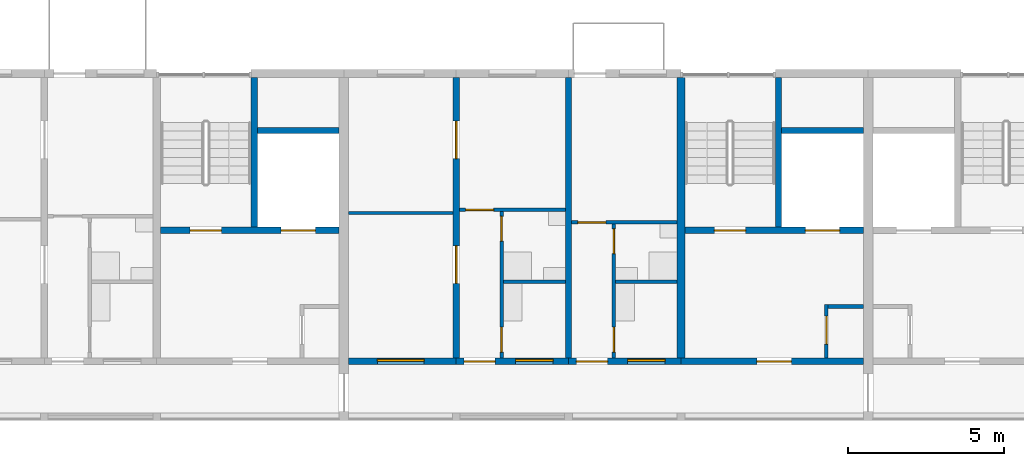
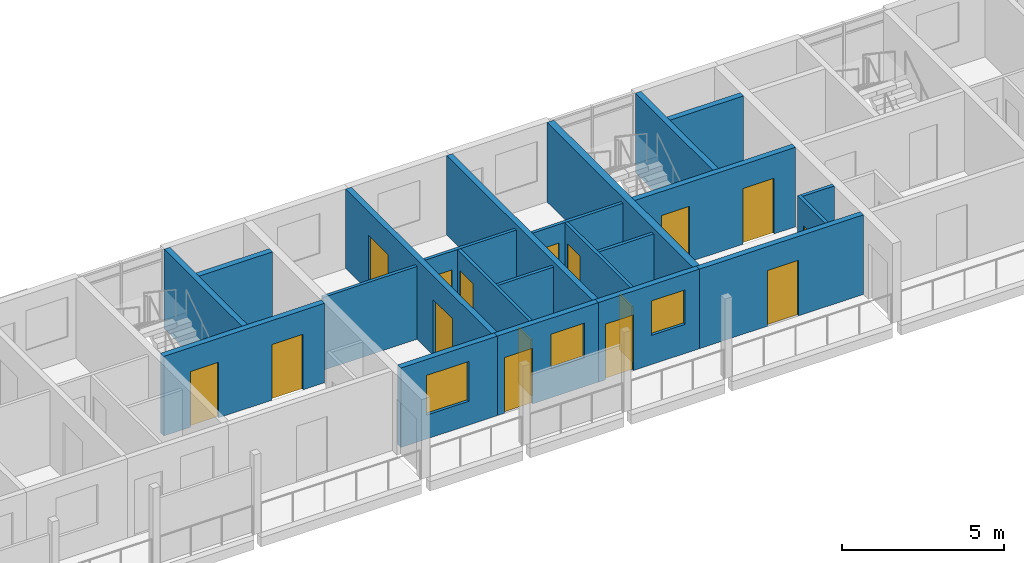
# One storey, part 50 of 93: 22 walls, 16 doors, 3 windows, 19 openings.
"""IFC4 building model written with IfcOpenShell, lengths in metres."""

from ifc_helpers import new_model, si_unit, direction, frame, frame_2d, origin, place, context, subcontext, project, spatial, rectangle, extrude, material, layer, layer_set, type_object, element, fill, save


model = new_model("IFC4")

# Units and contexts
model_context = context("Model", 3, precision=1e-05, world=origin(), true_north=direction((0.0, 1.0)))
body_context = subcontext(model_context, "Body", "Model", "MODEL_VIEW")
ifc_project = project(units=[si_unit("LENGTHUNIT", "METRE"), si_unit("AREAUNIT", "SQUARE_METRE"), si_unit("VOLUMEUNIT", "CUBIC_METRE"), si_unit("PLANEANGLEUNIT", "RADIAN"), si_unit("MASSUNIT", "GRAM", prefix="KILO")], contexts=[model_context])

# Site, building, storey
site_placement = place(None, origin())
site = spatial("IfcSite", under=ifc_project, at=site_placement, CompositionType="ELEMENT")
building_placement = place(site_placement, origin())
building = spatial("IfcBuilding", under=site, at=building_placement, Name="Ridgestep Commons", CompositionType="ELEMENT")
storey_placement = place(building_placement, frame((0.0, 0.0, 18.0)))
storey = spatial("IfcBuildingStorey", under=building, at=storey_placement, Name="L06", CompositionType="ELEMENT", Elevation=18.0)

# Wall
ifc_material_1 = material(Name="Concrete C30/37", Category="concrete")
ifc_layer_1 = layer(ifc_material_1, 0.25)
ifc_layer_set_1 = layer_set([ifc_layer_1], Name="Core cross wall 250")
wall_type_1 = type_object("IfcWallType", Name="Core cross wall 250", PredefinedType="SHEAR", material=ifc_layer_set_1)
wall_1_placement = place(storey_placement, frame((174.39990234375, 68.0, 0.0), z_axis=(0.0, 0.0, 1.0), x_axis=(0.0, 1.0, 0.0)))
element("IfcWall", 1, at=wall_1_placement, inside=storey, type_object=wall_type_1, Name="Cross wall C-06-1744", PredefinedType="SHEAR", context=body_context, shape_type="SweptSolid", body=[
    extrude(rectangle(XDim=9.0, YDim=0.25, at=frame_2d((4.5, 0.0))), origin(), (0.0, 0.0, 1.0), 3.0),
])

# Wall, opening, door
ifc_material_2 = material(Name="Concrete C30/37", Category="concrete")
ifc_layer_2 = layer(ifc_material_2, 0.199951171875)
ifc_layer_set_2 = layer_set([ifc_layer_2], Name="Core south wall 200")
wall_type_2 = type_object("IfcWallType", Name="Core south wall 200", PredefinedType="SHEAR", material=ifc_layer_set_2)
wall_2_placement = place(storey_placement, frame((174.39990234375, 67.89990234375, 0.0), z_axis=(0.0, 0.0, 1.0), x_axis=(1.0, 0.0, 0.0)))
wall_2 = element("IfcWall", 2, at=wall_2_placement, inside=storey, type_object=wall_type_2, Name="Core south wall C2C L06", PredefinedType="SHEAR", context=body_context, shape_type="SweptSolid", body=[
    extrude(rectangle(XDim=5.85009765625, YDim=0.199951171875, at=frame_2d((2.925048828125, 0.0))), origin(), (0.0, 0.0, 1.0), 3.0),
])
opening_1_placement = place(wall_2_placement, frame((2.4375, 0.0, 0.0)))
opening_1 = element("IfcOpeningElement", 3, at=opening_1_placement, cuts=wall_2, Name="Opening C2C/06/1", PredefinedType="OPENING", context=body_context, shape_type="SweptSolid", body=[
    extrude(rectangle(XDim=1.10009765625, YDim=2.10009765625, at=frame_2d((0.550048828125, 1.050048828125))), frame((0.0, 0.10986328125, 0.0), z_axis=(0.0, -1.0, 0.0), x_axis=(1.0, 0.0, 0.0)), (0.0, 0.0, 1.0), 0.219970703125),
])
ifc_material_3 = material(Name="Steel fire door", Category="steel")
door_type_1 = type_object("IfcDoorType", Name="Lobby door 1100 x 2100 FD60", OperationType="NOTDEFINED", PredefinedType="DOOR", material=ifc_material_3)
door_1_placement = place(opening_1_placement, origin())
door_1 = element("IfcDoor", 4, at=door_1_placement, inside=storey, type_object=door_type_1, Name="Lobby door C2C/06/1", OperationType="SINGLE_SWING_LEFT", OverallHeight=2.10009765625, OverallWidth=1.10009765625, PredefinedType="DOOR", context=body_context, shape_type="SweptSolid", body=[
    extrude(rectangle(XDim=1.10009765625, YDim=2.10009765625, at=frame_2d((0.550048828125, 1.050048828125))), frame((0.0, 0.02490234375, 0.0), z_axis=(0.0, -1.0, 0.0), x_axis=(1.0, 0.0, 0.0)), (0.0, 0.0, 1.0), 0.050048828125),
])
fill(opening_1, door_1)

ifc_material_4 = material(Name="Concrete C30/37", Category="concrete")
ifc_layer_3 = layer(ifc_material_4, 0.1201171875)
ifc_layer_set_3 = layer_set([ifc_layer_3], Name="Core wall 120")
wall_type_3 = type_object("IfcWallType", Name="Core wall 120", PredefinedType="SHEAR", material=ifc_layer_set_3)
wall_3_placement = place(storey_placement, frame((179.06005859375, 68.0, 0.0), z_axis=(0.0, 0.0, 1.0), x_axis=(0.0, 1.0, 0.0)))
wall_3 = element("IfcWall", 5, at=wall_3_placement, inside=storey, type_object=wall_type_3, Name="Core riser w wall C2C L06", PredefinedType="SHEAR", context=body_context, shape_type="SweptSolid", body=[
    extrude(rectangle(XDim=1.719970703125, YDim=0.1201171875, at=frame_2d((0.85986328125, 0.0))), origin(), (0.0, 0.0, 1.0), 3.0),
])
opening_2_placement = place(wall_3_placement, frame((0.449951171875, 0.0, 0.0)))
opening_2 = element("IfcOpeningElement", 6, at=opening_2_placement, cuts=wall_3, Name="Opening C2C/06/4", PredefinedType="OPENING", context=body_context, shape_type="SweptSolid", body=[
    extrude(rectangle(XDim=0.89990234375, YDim=2.10009765625, at=frame_2d((0.449951171875, 1.050048828125))), frame((0.0, 0.070068359375, 0.0), z_axis=(0.0, -1.0, 0.0), x_axis=(1.0, 0.0, 0.0)), (0.0, 0.0, 1.0), 0.14013671875),
])
ifc_material_5 = material(Name="Steel fire door", Category="steel")
door_type_2 = type_object("IfcDoorType", Name="Riser door 900 x 2100 FD60", OperationType="NOTDEFINED", PredefinedType="DOOR", material=ifc_material_5)
door_2_placement = place(opening_2_placement, origin())
door_2 = element("IfcDoor", 7, at=door_2_placement, inside=storey, type_object=door_type_2, Name="Riser door C2C/06/4", OperationType="SINGLE_SWING_LEFT", OverallHeight=2.10009765625, OverallWidth=0.89990234375, PredefinedType="DOOR", context=body_context, shape_type="SweptSolid", body=[
    extrude(rectangle(XDim=0.89990234375, YDim=2.10009765625, at=frame_2d((0.449951171875, 1.050048828125))), frame((0.0, 0.02490234375, 0.0), z_axis=(0.0, -1.0, 0.0), x_axis=(1.0, 0.0, 0.0)), (0.0, 0.0, 1.0), 0.050048828125),
])
fill(opening_2, door_2)

# Wall
wall_4_placement = place(storey_placement, frame((179.1201171875, 69.659912109375, 0.0), z_axis=(0.0, 0.0, 1.0), x_axis=(1.0, 0.0, 0.0)))
element("IfcWall", 8, at=wall_4_placement, inside=storey, type_object=wall_type_3, Name="Core riser n wall C2C L06", PredefinedType="SHEAR", context=body_context, shape_type="SweptSolid", body=[
    extrude(rectangle(XDim=1.1298828125, YDim=0.1201171875, at=frame_2d((0.56494140625, 0.0))), origin(), (0.0, 0.0, 1.0), 3.0),
])

# Wall, openings, doors
ifc_material_6 = material(Name="Concrete C30/37", Category="concrete")
ifc_layer_4 = layer(ifc_material_6, 0.199951171875)
ifc_layer_set_4 = layer_set([ifc_layer_4], Name="Core wall 200")
wall_type_4 = type_object("IfcWallType", Name="Core wall 200", PredefinedType="SHEAR", material=ifc_layer_set_4)
wall_5_placement = place(storey_placement, frame((157.72509765625, 72.10009765625, 0.0), z_axis=(0.0, 0.0, 1.0), x_axis=(1.0, 0.0, 0.0)))
wall_5 = element("IfcWall", 9, at=wall_5_placement, inside=storey, type_object=wall_type_4, Name="Core lobby wall C1C L06", PredefinedType="SHEAR", context=body_context, shape_type="SweptSolid", body=[
    extrude(rectangle(XDim=5.724853515625, YDim=0.199951171875, at=frame_2d((2.8623046875, 0.0))), origin(), (0.0, 0.0, 1.0), 3.0),
])
opening_3_placement = place(wall_5_placement, frame((0.949951171875, 0.0, 0.0)))
opening_3 = element("IfcOpeningElement", 10, at=opening_3_placement, cuts=wall_5, Name="Opening C1C/06/2", PredefinedType="OPENING", context=body_context, shape_type="SweptSolid", body=[
    extrude(rectangle(XDim=1.0, YDim=2.10009765625, at=frame_2d((0.5, 1.050048828125))), frame((0.0, 0.10986328125, 0.0), z_axis=(0.0, -1.0, 0.0), x_axis=(1.0, 0.0, 0.0)), (0.0, 0.0, 1.0), 0.219970703125),
])
opening_4_placement = place(wall_5_placement, frame((3.862548828125, 0.0, 0.0)))
opening_4 = element("IfcOpeningElement", 11, at=opening_4_placement, cuts=wall_5, Name="Opening C1C/06/3", PredefinedType="OPENING", context=body_context, shape_type="SweptSolid", body=[
    extrude(rectangle(XDim=1.10009765625, YDim=2.10009765625, at=frame_2d((0.550048828125, 1.050048828125))), frame((0.0, 0.10986328125, 0.0), z_axis=(0.0, -1.0, 0.0), x_axis=(1.0, 0.0, 0.0)), (0.0, 0.0, 1.0), 0.219970703125),
])
ifc_material_7 = material(Name="Stainless steel", Category="steel")
door_type_3 = type_object("IfcDoorType", Name="Lift landing door 1100 x 2100 FD60", OperationType="DOUBLE_DOOR_SLIDING", PredefinedType="DOOR", material=ifc_material_7)
door_3_placement = place(opening_4_placement, origin())
door_3 = element("IfcDoor", 12, at=door_3_placement, inside=storey, type_object=door_type_3, Name="Landing door LD C1C L06", OperationType="DOUBLE_DOOR_SLIDING", OverallHeight=2.10009765625, OverallWidth=1.10009765625, PredefinedType="DOOR", context=body_context, shape_type="SweptSolid", body=[
    extrude(rectangle(XDim=1.10009765625, YDim=2.10009765625, at=frame_2d((0.550048828125, 1.050048828125))), frame((0.0, 0.02490234375, 0.0), z_axis=(0.0, -1.0, 0.0), x_axis=(1.0, 0.0, 0.0)), (0.0, 0.0, 1.0), 0.050048828125),
])
fill(opening_4, door_3)
ifc_material_8 = material(Name="Steel fire door", Category="steel")
door_type_4 = type_object("IfcDoorType", Name="Stair door 1000 x 2100 FD60", OperationType="NOTDEFINED", PredefinedType="DOOR", material=ifc_material_8)
door_4_placement = place(opening_3_placement, origin())
door_4 = element("IfcDoor", 13, at=door_4_placement, inside=storey, type_object=door_type_4, Name="Stair door C1C/06/2", OperationType="SINGLE_SWING_RIGHT", OverallHeight=2.10009765625, OverallWidth=1.0, PredefinedType="DOOR", context=body_context, shape_type="SweptSolid", body=[
    extrude(rectangle(XDim=1.0, YDim=2.10009765625, at=frame_2d((0.5, 1.050048828125))), frame((0.0, 0.02490234375, 0.0), z_axis=(0.0, -1.0, 0.0), x_axis=(1.0, 0.0, 0.0)), (0.0, 0.0, 1.0), 0.050048828125),
])
fill(opening_3, door_4)

# Walls
wall_6_placement = place(storey_placement, frame((160.72509765625, 72.199951171875, 0.0), z_axis=(0.0, 0.0, 1.0), x_axis=(0.0, 1.0, 0.0)))
element("IfcWall", 14, at=wall_6_placement, inside=storey, type_object=wall_type_4, Name="Core stair wall C1C L06", PredefinedType="SHEAR", context=body_context, shape_type="SweptSolid", body=[
    extrude(rectangle(XDim=4.800048828125, YDim=0.199951171875, at=frame_2d((2.39990234375, 0.0))), origin(), (0.0, 0.0, 1.0), 3.0),
])
wall_7_placement = place(storey_placement, frame((160.824951171875, 75.300048828125, 0.0), z_axis=(0.0, 0.0, 1.0), x_axis=(1.0, 0.0, 0.0)))
element("IfcWall", 15, at=wall_7_placement, inside=storey, type_object=wall_type_4, Name="Core duct wall C1C L06", PredefinedType="SHEAR", context=body_context, shape_type="SweptSolid", body=[
    extrude(rectangle(XDim=2.625, YDim=0.199951171875, at=frame_2d((1.3125, 0.0))), origin(), (0.0, 0.0, 1.0), 3.0),
])

# Wall, openings, doors
wall_8_placement = place(storey_placement, frame((174.52490234375, 72.10009765625, 0.0), z_axis=(0.0, 0.0, 1.0), x_axis=(1.0, 0.0, 0.0)))
wall_8 = element("IfcWall", 16, at=wall_8_placement, inside=storey, type_object=wall_type_4, Name="Core lobby wall C2C L06", PredefinedType="SHEAR", context=body_context, shape_type="SweptSolid", body=[
    extrude(rectangle(XDim=5.72509765625, YDim=0.199951171875, at=frame_2d((2.862548828125, 0.0))), origin(), (0.0, 0.0, 1.0), 3.0),
])
opening_5_placement = place(wall_8_placement, frame((0.949951171875, 0.0, 0.0)))
opening_5 = element("IfcOpeningElement", 17, at=opening_5_placement, cuts=wall_8, Name="Opening C2C/06/2", PredefinedType="OPENING", context=body_context, shape_type="SweptSolid", body=[
    extrude(rectangle(XDim=1.0, YDim=2.10009765625, at=frame_2d((0.5, 1.050048828125))), frame((0.0, 0.10986328125, 0.0), z_axis=(0.0, -1.0, 0.0), x_axis=(1.0, 0.0, 0.0)), (0.0, 0.0, 1.0), 0.219970703125),
])
opening_6_placement = place(wall_8_placement, frame((3.862548828125, 0.0, 0.0)))
opening_6 = element("IfcOpeningElement", 18, at=opening_6_placement, cuts=wall_8, Name="Opening C2C/06/3", PredefinedType="OPENING", context=body_context, shape_type="SweptSolid", body=[
    extrude(rectangle(XDim=1.10009765625, YDim=2.10009765625, at=frame_2d((0.550048828125, 1.050048828125))), frame((0.0, 0.10986328125, 0.0), z_axis=(0.0, -1.0, 0.0), x_axis=(1.0, 0.0, 0.0)), (0.0, 0.0, 1.0), 0.219970703125),
])
door_5_placement = place(opening_6_placement, origin())
door_5 = element("IfcDoor", 19, at=door_5_placement, inside=storey, type_object=door_type_3, Name="Landing door LD C2C L06", OperationType="DOUBLE_DOOR_SLIDING", OverallHeight=2.10009765625, OverallWidth=1.10009765625, PredefinedType="DOOR", context=body_context, shape_type="SweptSolid", body=[
    extrude(rectangle(XDim=1.10009765625, YDim=2.10009765625, at=frame_2d((0.550048828125, 1.050048828125))), frame((0.0, 0.02490234375, 0.0), z_axis=(0.0, -1.0, 0.0), x_axis=(1.0, 0.0, 0.0)), (0.0, 0.0, 1.0), 0.050048828125),
])
fill(opening_6, door_5)
door_6_placement = place(opening_5_placement, origin())
door_6 = element("IfcDoor", 20, at=door_6_placement, inside=storey, type_object=door_type_4, Name="Stair door C2C/06/2", OperationType="SINGLE_SWING_RIGHT", OverallHeight=2.10009765625, OverallWidth=1.0, PredefinedType="DOOR", context=body_context, shape_type="SweptSolid", body=[
    extrude(rectangle(XDim=1.0, YDim=2.10009765625, at=frame_2d((0.5, 1.050048828125))), frame((0.0, 0.02490234375, 0.0), z_axis=(0.0, -1.0, 0.0), x_axis=(1.0, 0.0, 0.0)), (0.0, 0.0, 1.0), 0.050048828125),
])
fill(opening_5, door_6)

# Walls
wall_9_placement = place(storey_placement, frame((177.52490234375, 72.199951171875, 0.0), z_axis=(0.0, 0.0, 1.0), x_axis=(0.0, 1.0, 0.0)))
element("IfcWall", 21, at=wall_9_placement, inside=storey, type_object=wall_type_4, Name="Core stair wall C2C L06", PredefinedType="SHEAR", context=body_context, shape_type="SweptSolid", body=[
    extrude(rectangle(XDim=4.800048828125, YDim=0.199951171875, at=frame_2d((2.39990234375, 0.0))), origin(), (0.0, 0.0, 1.0), 3.0),
])
wall_10_placement = place(storey_placement, frame((177.625, 75.300048828125, 0.0), z_axis=(0.0, 0.0, 1.0), x_axis=(1.0, 0.0, 0.0)))
element("IfcWall", 22, at=wall_10_placement, inside=storey, type_object=wall_type_4, Name="Core duct wall C2C L06", PredefinedType="SHEAR", context=body_context, shape_type="SweptSolid", body=[
    extrude(rectangle(XDim=2.625, YDim=0.199951171875, at=frame_2d((1.3125, 0.0))), origin(), (0.0, 0.0, 1.0), 3.0),
])

# Wall, openings, doors
ifc_material_9 = material(Name="Precast concrete C40/50", Category="concrete")
ifc_layer_5 = layer(ifc_material_9, 0.199951171875)
ifc_layer_set_5 = layer_set([ifc_layer_5], Name="Cross wall 200")
wall_type_5 = type_object("IfcWallType", Name="Cross wall 200", PredefinedType="SHEAR", material=ifc_layer_set_5)
wall_11_placement = place(storey_placement, frame((167.199951171875, 68.0, 0.0), z_axis=(0.0, 0.0, 1.0), x_axis=(0.0, 1.0, 0.0)))
wall_11 = element("IfcWall", 23, at=wall_11_placement, inside=storey, type_object=wall_type_5, Name="Cross wall C-06-1672", PredefinedType="SHEAR", context=body_context, shape_type="SweptSolid", body=[
    extrude(rectangle(XDim=9.0, YDim=0.199951171875, at=frame_2d((4.5, 0.0))), origin(), (0.0, 0.0, 1.0), 3.0),
])
opening_7_placement = place(wall_11_placement, frame((2.39990234375, 0.0, 0.0)))
opening_7 = element("IfcOpeningElement", 24, at=opening_7_placement, cuts=wall_11, Name="Opening C2-06a/5", PredefinedType="OPENING", context=body_context, shape_type="SweptSolid", body=[
    extrude(rectangle(XDim=1.199951171875, YDim=2.10009765625, at=frame_2d((0.60009765625, 1.050048828125))), frame((0.0, 0.10986328125, 0.0), z_axis=(0.0, -1.0, 0.0), x_axis=(1.0, 0.0, 0.0)), (0.0, 0.0, 1.0), 0.219970703125),
])
opening_8_placement = place(wall_11_placement, frame((6.39990234375, 0.0, 0.0)))
opening_8 = element("IfcOpeningElement", 25, at=opening_8_placement, cuts=wall_11, Name="Opening C2-06a/6", PredefinedType="OPENING", context=body_context, shape_type="SweptSolid", body=[
    extrude(rectangle(XDim=1.199951171875, YDim=2.10009765625, at=frame_2d((0.60009765625, 1.050048828125))), frame((0.0, 0.10986328125, 0.0), z_axis=(0.0, -1.0, 0.0), x_axis=(1.0, 0.0, 0.0)), (0.0, 0.0, 1.0), 0.219970703125),
])
ifc_material_10 = material(Name="Timber door leaf", Category="wood")
door_type_5 = type_object("IfcDoorType", Name="Double door 1200 x 2100", OperationType="DOUBLE_DOOR_SINGLE_SWING", PredefinedType="DOOR", material=ifc_material_10)
door_7_placement = place(opening_7_placement, origin())
door_7 = element("IfcDoor", 26, at=door_7_placement, inside=storey, type_object=door_type_5, Name="Double door C2-06a/5", OperationType="DOUBLE_DOOR_SINGLE_SWING", OverallHeight=2.10009765625, OverallWidth=1.199951171875, PredefinedType="DOOR", context=body_context, shape_type="SweptSolid", body=[
    extrude(rectangle(XDim=1.199951171875, YDim=2.10009765625, at=frame_2d((0.60009765625, 1.050048828125))), frame((0.0, 0.02490234375, 0.0), z_axis=(0.0, -1.0, 0.0), x_axis=(1.0, 0.0, 0.0)), (0.0, 0.0, 1.0), 0.050048828125),
])
fill(opening_7, door_7)
door_8_placement = place(opening_8_placement, origin())
door_8 = element("IfcDoor", 27, at=door_8_placement, inside=storey, type_object=door_type_5, Name="Double door C2-06a/6", OperationType="DOUBLE_DOOR_SINGLE_SWING", OverallHeight=2.10009765625, OverallWidth=1.199951171875, PredefinedType="DOOR", context=body_context, shape_type="SweptSolid", body=[
    extrude(rectangle(XDim=1.199951171875, YDim=2.10009765625, at=frame_2d((0.60009765625, 1.050048828125))), frame((0.0, 0.02490234375, 0.0), z_axis=(0.0, -1.0, 0.0), x_axis=(1.0, 0.0, 0.0)), (0.0, 0.0, 1.0), 0.050048828125),
])
fill(opening_8, door_8)

# Wall
wall_12_placement = place(storey_placement, frame((170.800048828125, 68.0, 0.0), z_axis=(0.0, 0.0, 1.0), x_axis=(0.0, 1.0, 0.0)))
element("IfcWall", 28, at=wall_12_placement, inside=storey, type_object=wall_type_5, Name="Cross wall C-06-1708", PredefinedType="SHEAR", context=body_context, shape_type="SweptSolid", body=[
    extrude(rectangle(XDim=9.0, YDim=0.199951171875, at=frame_2d((4.5, 0.0))), origin(), (0.0, 0.0, 1.0), 3.0),
])

# Wall, openings, doors
ifc_material_11 = material(Name="Common brick 110 mm", Category="masonry")
ifc_layer_6 = layer(ifc_material_11, 0.110107421875)
ifc_layer_set_6 = layer_set([ifc_layer_6], Name="Partition 110")
wall_type_6 = type_object("IfcWallType", Name="Partition 110", PredefinedType="PARTITIONING", material=ifc_layer_set_6)
wall_13_placement = place(storey_placement, frame((168.655029296875, 68.0, 0.0), z_axis=(0.0, 0.0, 1.0), x_axis=(0.0, 1.0, 0.0)))
wall_13 = element("IfcWall", 29, at=wall_13_placement, inside=storey, type_object=wall_type_6, Name="Partition C2-06a", PredefinedType="PARTITIONING", context=body_context, shape_type="SweptSolid", body=[
    extrude(rectangle(XDim=4.699951171875, YDim=0.110107421875, at=frame_2d((2.35009765625, 0.0))), origin(), (0.0, 0.0, 1.0), 2.800048828125),
])
opening_9_placement = place(wall_13_placement, frame((0.199951171875, 0.0, 0.0)))
opening_9 = element("IfcOpeningElement", 30, at=opening_9_placement, cuts=wall_13, Name="Opening C2-06a/2", PredefinedType="OPENING", context=body_context, shape_type="SweptSolid", body=[
    extrude(rectangle(XDim=0.800048828125, YDim=2.10009765625, at=frame_2d((0.39990234375, 1.050048828125))), frame((0.0, 0.06494140625, 0.0), z_axis=(0.0, -1.0, 0.0), x_axis=(1.0, 0.0, 0.0)), (0.0, 0.0, 1.0), 0.130126953125),
])
opening_10_placement = place(wall_13_placement, frame((3.75, 0.0, 0.0)))
opening_10 = element("IfcOpeningElement", 31, at=opening_10_placement, cuts=wall_13, Name="Opening C2-06a/3", PredefinedType="OPENING", context=body_context, shape_type="SweptSolid", body=[
    extrude(rectangle(XDim=0.800048828125, YDim=2.10009765625, at=frame_2d((0.39990234375, 1.050048828125))), frame((0.0, 0.06494140625, 0.0), z_axis=(0.0, -1.0, 0.0), x_axis=(1.0, 0.0, 0.0)), (0.0, 0.0, 1.0), 0.130126953125),
])
ifc_material_12 = material(Name="Timber door leaf", Category="wood")
door_type_6 = type_object("IfcDoorType", Name="Internal door 800 x 2100", OperationType="NOTDEFINED", PredefinedType="DOOR", material=ifc_material_12)
door_9_placement = place(opening_9_placement, origin())
door_9 = element("IfcDoor", 32, at=door_9_placement, inside=storey, type_object=door_type_6, Name="Internal door C2-06a/2", OperationType="SINGLE_SWING_RIGHT", OverallHeight=2.10009765625, OverallWidth=0.800048828125, PredefinedType="DOOR", context=body_context, shape_type="SweptSolid", body=[
    extrude(rectangle(XDim=0.800048828125, YDim=2.10009765625, at=frame_2d((0.39990234375, 1.050048828125))), frame((0.0, 0.02490234375, 0.0), z_axis=(0.0, -1.0, 0.0), x_axis=(1.0, 0.0, 0.0)), (0.0, 0.0, 1.0), 0.050048828125),
])
fill(opening_9, door_9)
door_10_placement = place(opening_10_placement, origin())
door_10 = element("IfcDoor", 33, at=door_10_placement, inside=storey, type_object=door_type_6, Name="Internal door C2-06a/3", OperationType="SINGLE_SWING_LEFT", OverallHeight=2.10009765625, OverallWidth=0.800048828125, PredefinedType="DOOR", context=body_context, shape_type="SweptSolid", body=[
    extrude(rectangle(XDim=0.800048828125, YDim=2.10009765625, at=frame_2d((0.39990234375, 1.050048828125))), frame((0.0, 0.02490234375, 0.0), z_axis=(0.0, -1.0, 0.0), x_axis=(1.0, 0.0, 0.0)), (0.0, 0.0, 1.0), 0.050048828125),
])
fill(opening_10, door_10)

# Wall
wall_14_placement = place(storey_placement, frame((168.7099609375, 70.455078125, 0.0), z_axis=(0.0, 0.0, 1.0), x_axis=(1.0, 0.0, 0.0)))
element("IfcWall", 34, at=wall_14_placement, inside=storey, type_object=wall_type_6, Name="Partition C2-06a", PredefinedType="PARTITIONING", context=body_context, shape_type="SweptSolid", body=[
    extrude(rectangle(XDim=1.989990234375, YDim=0.110107421875, at=frame_2d((0.9951171875, 0.0))), origin(), (0.0, 0.0, 1.0), 2.800048828125),
])

# Wall, opening, door
wall_15_placement = place(storey_placement, frame((167.300048828125, 72.7548828125, 0.0), z_axis=(0.0, 0.0, 1.0), x_axis=(1.0, 0.0, 0.0)))
wall_15 = element("IfcWall", 35, at=wall_15_placement, inside=storey, type_object=wall_type_6, Name="Partition C2-06a", PredefinedType="PARTITIONING", context=body_context, shape_type="SweptSolid", body=[
    extrude(rectangle(XDim=3.39990234375, YDim=0.110107421875, at=frame_2d((1.699951171875, 0.0))), origin(), (0.0, 0.0, 1.0), 2.800048828125),
])
opening_11_placement = place(wall_15_placement, frame((0.199951171875, 0.0, 0.0)))
opening_11 = element("IfcOpeningElement", 36, at=opening_11_placement, cuts=wall_15, Name="Opening C2-06a/4", PredefinedType="OPENING", context=body_context, shape_type="SweptSolid", body=[
    extrude(rectangle(XDim=0.89990234375, YDim=2.10009765625, at=frame_2d((0.449951171875, 1.050048828125))), frame((0.0, 0.06494140625, 0.0), z_axis=(0.0, -1.0, 0.0), x_axis=(1.0, 0.0, 0.0)), (0.0, 0.0, 1.0), 0.130126953125),
])
ifc_material_13 = material(Name="Timber door leaf", Category="wood")
door_type_7 = type_object("IfcDoorType", Name="Internal door 900 x 2100", OperationType="NOTDEFINED", PredefinedType="DOOR", material=ifc_material_13)
door_11_placement = place(opening_11_placement, origin())
door_11 = element("IfcDoor", 37, at=door_11_placement, inside=storey, type_object=door_type_7, Name="Internal door C2-06a/4", OperationType="SINGLE_SWING_LEFT", OverallHeight=2.10009765625, OverallWidth=0.89990234375, PredefinedType="DOOR", context=body_context, shape_type="SweptSolid", body=[
    extrude(rectangle(XDim=0.89990234375, YDim=2.10009765625, at=frame_2d((0.449951171875, 1.050048828125))), frame((0.0, 0.02490234375, 0.0), z_axis=(0.0, -1.0, 0.0), x_axis=(1.0, 0.0, 0.0)), (0.0, 0.0, 1.0), 0.050048828125),
])
fill(opening_11, door_11)

# Wall
wall_16_placement = place(storey_placement, frame((163.75, 72.655029296875, 0.0), z_axis=(0.0, 0.0, 1.0), x_axis=(1.0, 0.0, 0.0)))
element("IfcWall", 38, at=wall_16_placement, inside=storey, type_object=wall_type_6, Name="Partition C2-06a", PredefinedType="PARTITIONING", context=body_context, shape_type="SweptSolid", body=[
    extrude(rectangle(XDim=3.35009765625, YDim=0.110107421875, at=frame_2d((1.675048828125, 0.0))), origin(), (0.0, 0.0, 1.0), 2.75),
])

# Wall, openings, doors
wall_17_placement = place(storey_placement, frame((172.2548828125, 68.0, 0.0), z_axis=(0.0, 0.0, 1.0), x_axis=(0.0, 1.0, 0.0)))
wall_17 = element("IfcWall", 39, at=wall_17_placement, inside=storey, type_object=wall_type_6, Name="Partition C2-06b", PredefinedType="PARTITIONING", context=body_context, shape_type="SweptSolid", body=[
    extrude(rectangle(XDim=4.300048828125, YDim=0.110107421875, at=frame_2d((2.14990234375, 0.0))), origin(), (0.0, 0.0, 1.0), 2.800048828125),
])
opening_12_placement = place(wall_17_placement, frame((0.199951171875, 0.0, 0.0)))
opening_12 = element("IfcOpeningElement", 40, at=opening_12_placement, cuts=wall_17, Name="Opening C2-06b/2", PredefinedType="OPENING", context=body_context, shape_type="SweptSolid", body=[
    extrude(rectangle(XDim=0.800048828125, YDim=2.10009765625, at=frame_2d((0.39990234375, 1.050048828125))), frame((0.0, 0.06494140625, 0.0), z_axis=(0.0, -1.0, 0.0), x_axis=(1.0, 0.0, 0.0)), (0.0, 0.0, 1.0), 0.130126953125),
])
opening_13_placement = place(wall_17_placement, frame((3.35009765625, 0.0, 0.0)))
opening_13 = element("IfcOpeningElement", 41, at=opening_13_placement, cuts=wall_17, Name="Opening C2-06b/3", PredefinedType="OPENING", context=body_context, shape_type="SweptSolid", body=[
    extrude(rectangle(XDim=0.800048828125, YDim=2.10009765625, at=frame_2d((0.39990234375, 1.050048828125))), frame((0.0, 0.06494140625, 0.0), z_axis=(0.0, -1.0, 0.0), x_axis=(1.0, 0.0, 0.0)), (0.0, 0.0, 1.0), 0.130126953125),
])
door_12_placement = place(opening_12_placement, origin())
door_12 = element("IfcDoor", 42, at=door_12_placement, inside=storey, type_object=door_type_6, Name="Internal door C2-06b/2", OperationType="SINGLE_SWING_RIGHT", OverallHeight=2.10009765625, OverallWidth=0.800048828125, PredefinedType="DOOR", context=body_context, shape_type="SweptSolid", body=[
    extrude(rectangle(XDim=0.800048828125, YDim=2.10009765625, at=frame_2d((0.39990234375, 1.050048828125))), frame((0.0, 0.02490234375, 0.0), z_axis=(0.0, -1.0, 0.0), x_axis=(1.0, 0.0, 0.0)), (0.0, 0.0, 1.0), 0.050048828125),
])
fill(opening_12, door_12)
door_13_placement = place(opening_13_placement, origin())
door_13 = element("IfcDoor", 43, at=door_13_placement, inside=storey, type_object=door_type_6, Name="Internal door C2-06b/3", OperationType="SINGLE_SWING_LEFT", OverallHeight=2.10009765625, OverallWidth=0.800048828125, PredefinedType="DOOR", context=body_context, shape_type="SweptSolid", body=[
    extrude(rectangle(XDim=0.800048828125, YDim=2.10009765625, at=frame_2d((0.39990234375, 1.050048828125))), frame((0.0, 0.02490234375, 0.0), z_axis=(0.0, -1.0, 0.0), x_axis=(1.0, 0.0, 0.0)), (0.0, 0.0, 1.0), 0.050048828125),
])
fill(opening_13, door_13)

# Wall
wall_18_placement = place(storey_placement, frame((172.31005859375, 70.455078125, 0.0), z_axis=(0.0, 0.0, 1.0), x_axis=(1.0, 0.0, 0.0)))
element("IfcWall", 44, at=wall_18_placement, inside=storey, type_object=wall_type_6, Name="Partition C2-06b", PredefinedType="PARTITIONING", context=body_context, shape_type="SweptSolid", body=[
    extrude(rectangle(XDim=1.96484375, YDim=0.110107421875, at=frame_2d((0.982421875, 0.0))), origin(), (0.0, 0.0, 1.0), 2.800048828125),
])

# Wall, opening, door
wall_19_placement = place(storey_placement, frame((170.89990234375, 72.35498046875, 0.0), z_axis=(0.0, 0.0, 1.0), x_axis=(1.0, 0.0, 0.0)))
wall_19 = element("IfcWall", 45, at=wall_19_placement, inside=storey, type_object=wall_type_6, Name="Partition C2-06b", PredefinedType="PARTITIONING", context=body_context, shape_type="SweptSolid", body=[
    extrude(rectangle(XDim=3.375, YDim=0.110107421875, at=frame_2d((1.6875, 0.0))), origin(), (0.0, 0.0, 1.0), 2.800048828125),
])
opening_14_placement = place(wall_19_placement, frame((0.199951171875, 0.0, 0.0)))
opening_14 = element("IfcOpeningElement", 46, at=opening_14_placement, cuts=wall_19, Name="Opening C2-06b/4", PredefinedType="OPENING", context=body_context, shape_type="SweptSolid", body=[
    extrude(rectangle(XDim=0.89990234375, YDim=2.10009765625, at=frame_2d((0.449951171875, 1.050048828125))), frame((0.0, 0.06494140625, 0.0), z_axis=(0.0, -1.0, 0.0), x_axis=(1.0, 0.0, 0.0)), (0.0, 0.0, 1.0), 0.130126953125),
])
door_14_placement = place(opening_14_placement, origin())
door_14 = element("IfcDoor", 47, at=door_14_placement, inside=storey, type_object=door_type_7, Name="Internal door C2-06b/4", OperationType="SINGLE_SWING_LEFT", OverallHeight=2.10009765625, OverallWidth=0.89990234375, PredefinedType="DOOR", context=body_context, shape_type="SweptSolid", body=[
    extrude(rectangle(XDim=0.89990234375, YDim=2.10009765625, at=frame_2d((0.449951171875, 1.050048828125))), frame((0.0, 0.02490234375, 0.0), z_axis=(0.0, -1.0, 0.0), x_axis=(1.0, 0.0, 0.0)), (0.0, 0.0, 1.0), 0.050048828125),
])
fill(opening_14, door_14)

# Wall, opening, window
ifc_material_14 = material(Name="Precast concrete C40/50", Category="concrete")
ifc_layer_7 = layer(ifc_material_14, 0.199951171875)
ifc_layer_set_7 = layer_set([ifc_layer_7], Name="South facade panel 200")
wall_type_7 = type_object("IfcWallType", Name="South facade panel 200", PredefinedType="SOLIDWALL", material=ifc_layer_set_7)
wall_20_placement = place(storey_placement, frame((163.75, 67.89990234375, 0.0), z_axis=(0.0, 0.0, 1.0), x_axis=(1.0, 0.0, 0.0)))
wall_20 = element("IfcWall", 48, at=wall_20_placement, inside=storey, type_object=wall_type_7, Name="South panel C2T1 L06", PredefinedType="SOLIDWALL", context=body_context, shape_type="SweptSolid", body=[
    extrude(rectangle(XDim=3.449951171875, YDim=0.199951171875, at=frame_2d((1.72509765625, 0.0))), origin(), (0.0, 0.0, 1.0), 3.0),
])
opening_15_placement = place(wall_20_placement, frame((0.925048828125, 0.0, 0.89990234375)))
opening_15 = element("IfcOpeningElement", 49, at=opening_15_placement, cuts=wall_20, Name="Opening W16", PredefinedType="OPENING", context=body_context, shape_type="SweptSolid", body=[
    extrude(rectangle(XDim=1.5, YDim=1.5, at=frame_2d((0.75, 0.75))), frame((0.0, 0.10986328125, 0.0), z_axis=(0.0, -1.0, 0.0), x_axis=(1.0, 0.0, 0.0)), (0.0, 0.0, 1.0), 0.219970703125),
])
ifc_material_15 = material(Name="Aluminium 6063-T6 and glass", Category="aluminium")
window_type_1 = type_object("IfcWindowType", Name="Flat window 1500 x 1500", PartitioningType="DOUBLE_PANEL_VERTICAL", PredefinedType="WINDOW", material=ifc_material_15)
window_1_placement = place(opening_15_placement, origin())
window_1 = element("IfcWindow", 50, at=window_1_placement, inside=storey, type_object=window_type_1, Name="Window C2-06a 1", OverallHeight=1.5, OverallWidth=1.5, PartitioningType="SINGLE_PANEL", PredefinedType="WINDOW", context=body_context, shape_type="SweptSolid", body=[
    extrude(rectangle(XDim=1.5, YDim=1.5, at=frame_2d((0.75, 0.75))), frame((0.0, 0.06005859375, 0.0), z_axis=(0.0, -1.0, 0.0), x_axis=(1.0, 0.0, 0.0)), (0.0, 0.0, 1.0), 0.06005859375),
])
fill(opening_15, window_1)

# Wall, openings, door, window
wall_21_placement = place(storey_placement, frame((167.199951171875, 67.89990234375, 0.0), z_axis=(0.0, 0.0, 1.0), x_axis=(1.0, 0.0, 0.0)))
wall_21 = element("IfcWall", 51, at=wall_21_placement, inside=storey, type_object=wall_type_7, Name="South panel C2T2 L06", PredefinedType="SOLIDWALL", context=body_context, shape_type="SweptSolid", body=[
    extrude(rectangle(XDim=3.60009765625, YDim=0.199951171875, at=frame_2d((1.800048828125, 0.0))), origin(), (0.0, 0.0, 1.0), 3.0),
])
opening_16_placement = place(wall_21_placement, frame((1.905029296875, 0.0, 1.10009765625)))
opening_16 = element("IfcOpeningElement", 52, at=opening_16_placement, cuts=wall_21, Name="Opening W08", PredefinedType="OPENING", context=body_context, shape_type="SweptSolid", body=[
    extrude(rectangle(XDim=1.199951171875, YDim=1.300048828125, at=frame_2d((0.60009765625, 0.64990234375))), frame((0.0, 0.10986328125, 0.0), z_axis=(0.0, -1.0, 0.0), x_axis=(1.0, 0.0, 0.0)), (0.0, 0.0, 1.0), 0.219970703125),
])
opening_17_placement = place(wall_21_placement, frame((0.25, 0.0, 0.0)))
opening_17 = element("IfcOpeningElement", 53, at=opening_17_placement, cuts=wall_21, Name="Opening C2-06a/1", PredefinedType="OPENING", context=body_context, shape_type="SweptSolid", body=[
    extrude(rectangle(XDim=1.0, YDim=2.10009765625, at=frame_2d((0.5, 1.050048828125))), frame((0.0, 0.10986328125, 0.0), z_axis=(0.0, -1.0, 0.0), x_axis=(1.0, 0.0, 0.0)), (0.0, 0.0, 1.0), 0.219970703125),
])
ifc_material_16 = material(Name="Timber door leaf", Category="wood")
door_type_8 = type_object("IfcDoorType", Name="Flat entrance door 1000 x 2100 FD30S", OperationType="NOTDEFINED", PredefinedType="DOOR", material=ifc_material_16)
door_15_placement = place(opening_17_placement, origin())
door_15 = element("IfcDoor", 54, at=door_15_placement, inside=storey, type_object=door_type_8, Name="Flat entrance door C2-06a/1", OperationType="SINGLE_SWING_LEFT", OverallHeight=2.10009765625, OverallWidth=1.0, PredefinedType="DOOR", context=body_context, shape_type="SweptSolid", body=[
    extrude(rectangle(XDim=1.0, YDim=2.10009765625, at=frame_2d((0.5, 1.050048828125))), frame((0.0, 0.02490234375, 0.0), z_axis=(0.0, -1.0, 0.0), x_axis=(1.0, 0.0, 0.0)), (0.0, 0.0, 1.0), 0.050048828125),
])
fill(opening_17, door_15)
ifc_material_17 = material(Name="Aluminium 6063-T6 and glass", Category="aluminium")
window_type_2 = type_object("IfcWindowType", Name="Flat window 1200 x 1300", PartitioningType="SINGLE_PANEL", PredefinedType="WINDOW", material=ifc_material_17)
window_2_placement = place(opening_16_placement, origin())
window_2 = element("IfcWindow", 55, at=window_2_placement, inside=storey, type_object=window_type_2, Name="Window C2-06a 3", OverallHeight=1.300048828125, OverallWidth=1.199951171875, PartitioningType="SINGLE_PANEL", PredefinedType="WINDOW", context=body_context, shape_type="SweptSolid", body=[
    extrude(rectangle(XDim=1.199951171875, YDim=1.300048828125, at=frame_2d((0.60009765625, 0.64990234375))), frame((0.0, 0.06005859375, 0.0), z_axis=(0.0, -1.0, 0.0), x_axis=(1.0, 0.0, 0.0)), (0.0, 0.0, 1.0), 0.06005859375),
])
fill(opening_16, window_2)

wall_22_placement = place(storey_placement, frame((170.800048828125, 67.89990234375, 0.0), z_axis=(0.0, 0.0, 1.0), x_axis=(1.0, 0.0, 0.0)))
wall_22 = element("IfcWall", 56, at=wall_22_placement, inside=storey, type_object=wall_type_7, Name="South panel C2T3 L06", PredefinedType="SOLIDWALL", context=body_context, shape_type="SweptSolid", body=[
    extrude(rectangle(XDim=3.599853515625, YDim=0.199951171875, at=frame_2d((1.7998046875, 0.0))), origin(), (0.0, 0.0, 1.0), 3.0),
])
opening_18_placement = place(wall_22_placement, frame((1.892578125, 0.0, 1.10009765625)))
opening_18 = element("IfcOpeningElement", 57, at=opening_18_placement, cuts=wall_22, Name="Opening W08", PredefinedType="OPENING", context=body_context, shape_type="SweptSolid", body=[
    extrude(rectangle(XDim=1.199951171875, YDim=1.300048828125, at=frame_2d((0.60009765625, 0.64990234375))), frame((0.0, 0.10986328125, 0.0), z_axis=(0.0, -1.0, 0.0), x_axis=(1.0, 0.0, 0.0)), (0.0, 0.0, 1.0), 0.219970703125),
])
opening_19_placement = place(wall_22_placement, frame((0.25, 0.0, 0.0)))
opening_19 = element("IfcOpeningElement", 58, at=opening_19_placement, cuts=wall_22, Name="Opening C2-06b/1", PredefinedType="OPENING", context=body_context, shape_type="SweptSolid", body=[
    extrude(rectangle(XDim=1.0, YDim=2.10009765625, at=frame_2d((0.5, 1.050048828125))), frame((0.0, 0.10986328125, 0.0), z_axis=(0.0, -1.0, 0.0), x_axis=(1.0, 0.0, 0.0)), (0.0, 0.0, 1.0), 0.219970703125),
])
door_16_placement = place(opening_19_placement, origin())
door_16 = element("IfcDoor", 59, at=door_16_placement, inside=storey, type_object=door_type_8, Name="Flat entrance door C2-06b/1", OperationType="SINGLE_SWING_LEFT", OverallHeight=2.10009765625, OverallWidth=1.0, PredefinedType="DOOR", context=body_context, shape_type="SweptSolid", body=[
    extrude(rectangle(XDim=1.0, YDim=2.10009765625, at=frame_2d((0.5, 1.050048828125))), frame((0.0, 0.02490234375, 0.0), z_axis=(0.0, -1.0, 0.0), x_axis=(1.0, 0.0, 0.0)), (0.0, 0.0, 1.0), 0.050048828125),
])
fill(opening_19, door_16)
window_3_placement = place(opening_18_placement, origin())
window_3 = element("IfcWindow", 60, at=window_3_placement, inside=storey, type_object=window_type_2, Name="Window C2-06b 1", OverallHeight=1.300048828125, OverallWidth=1.199951171875, PartitioningType="SINGLE_PANEL", PredefinedType="WINDOW", context=body_context, shape_type="SweptSolid", body=[
    extrude(rectangle(XDim=1.199951171875, YDim=1.300048828125, at=frame_2d((0.60009765625, 0.64990234375))), frame((0.0, 0.06005859375, 0.0), z_axis=(0.0, -1.0, 0.0), x_axis=(1.0, 0.0, 0.0)), (0.0, 0.0, 1.0), 0.06005859375),
])
fill(opening_18, window_3)

save(model, "model.ifc")
